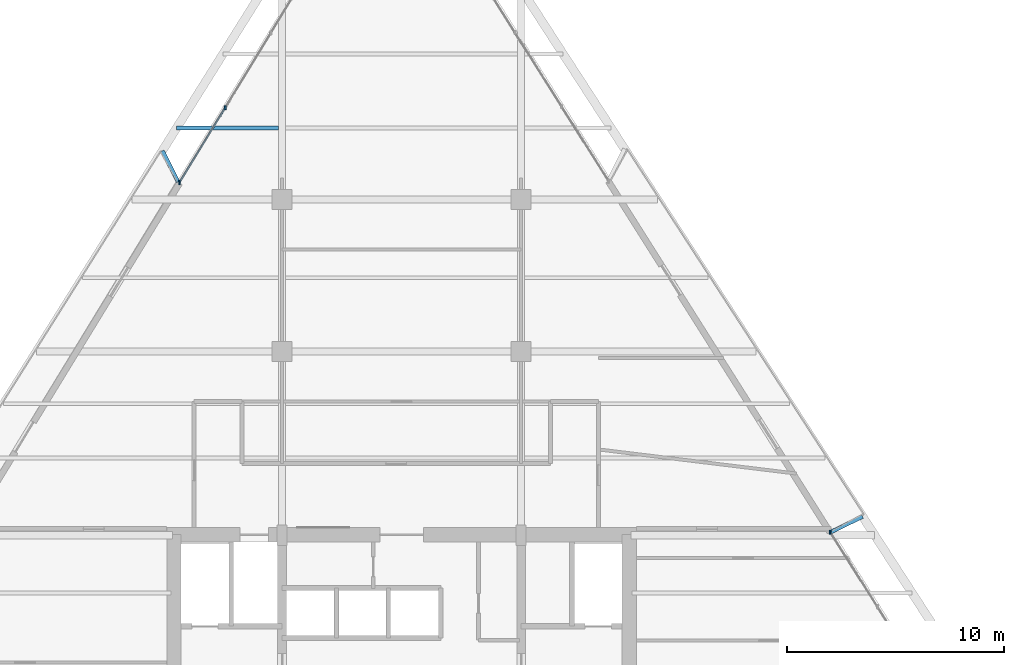
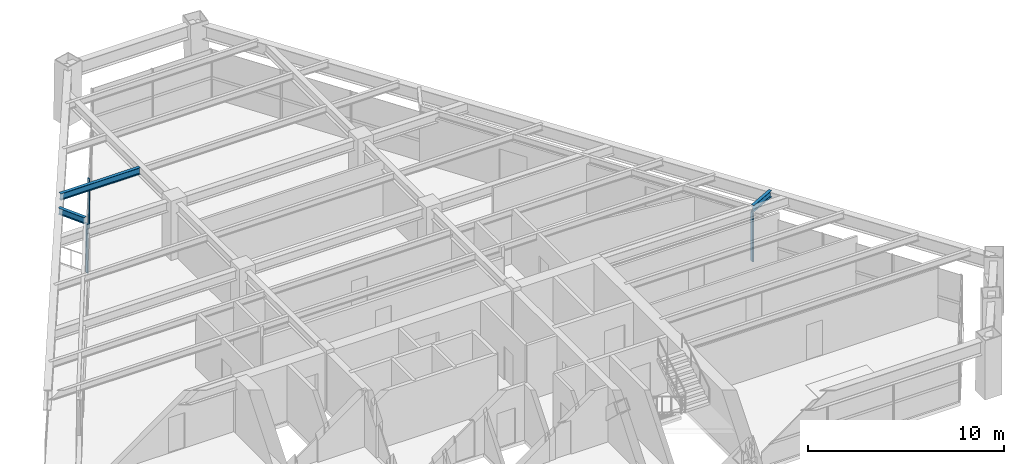
# One storey, part 6 of 13: 6 members, 3 beams, 2 elements without a shape of their own.
"""IFC4 building model written with IfcOpenShell, lengths in metres."""

from ifc_helpers import new_model, si_unit, direction, frame, origin, origin_2d, place, context, subcontext, project, spatial, rectangle, i_section, extrude, source, transform, mapped, material, material_profile, profile_set, type_object, type_shapes, element, aggregate, save


model = new_model("IFC4")

# Units and contexts
model_context = context("Model", 3, precision=1e-05, world=origin(), true_north=direction((0.0, 1.0)))
body_context = subcontext(model_context, "Body", "Model", "MODEL_VIEW")
ifc_project = project(units=[si_unit("LENGTHUNIT", "METRE"), si_unit("AREAUNIT", "SQUARE_METRE"), si_unit("VOLUMEUNIT", "CUBIC_METRE"), si_unit("PLANEANGLEUNIT", "RADIAN"), si_unit("MASSUNIT", "GRAM", prefix="KILO")], contexts=[model_context])

# Site, building, storey
site_placement = place(None, origin())
site = spatial("IfcSite", under=ifc_project, at=site_placement, CompositionType="ELEMENT")
building_placement = place(site_placement, origin())
building = spatial("IfcBuilding", under=site, at=building_placement, Name="Varnakhor Terracotta Tower", CompositionType="ELEMENT")
storey_placement = place(building_placement, frame((0.0, 0.0, 200.60009765625)))
storey = spatial("IfcBuildingStorey", under=building, at=storey_placement, Name="L51", CompositionType="ELEMENT", Elevation=200.60009765625)

# Beams
ifc_material_1 = material(Name="Steel S355", Category="steel")
ifc_material_profile_1 = material_profile(ifc_material_1, i_section(OverallWidth=0.179931640625, OverallDepth=0.4130859375, WebThickness=0.009765625, FlangeThickness=0.01611328125, FilletRadius=0.01806640625, at=origin_2d()), Name="W16X50")
ifc_profile_set_1 = profile_set([ifc_material_profile_1], Name="Steel S355")
beam_type_1 = type_object("IfcBeamType", Name="JST-W16X50", PredefinedType="JOIST", material=ifc_profile_set_1)
shared_shape_1 = source(origin(), body_context, "Body", "SweptSolid", [
    extrude(i_section(OverallWidth=0.179931640625, OverallDepth=0.4130859375, WebThickness=0.009765625, FlangeThickness=0.01611328125, FilletRadius=0.01806640625, at=origin_2d()), origin(), (0.0, 0.0, 1.0), 4.690185546875),
])
beam_1_placement = place(storey_placement, frame((-10.3486328125, 34.800048828125, 3.263427734375), z_axis=(1.0, 0.0, 0.0), x_axis=(0.0, 1.0, 0.0)))
element("IfcBeam", 1, at=beam_1_placement, inside=storey, type_object=beam_type_1, Name="L51 Composite Floor Joist 7-1", PredefinedType="JOIST", context=body_context, shape_type="MappedRepresentation", body=[
    mapped(shared_shape_1, transform((0.0, 0.0, 0.0), scale=1.0)),
])
ifc_material_profile_2 = material_profile(ifc_material_1, i_section(OverallWidth=0.179931640625, OverallDepth=0.39990234375, WebThickness=0.008544921875, FlangeThickness=0.013427734375, FilletRadius=0.01806640625, at=origin_2d()), Name="IPE400")
ifc_profile_set_2 = profile_set([ifc_material_profile_2], Name="Steel S355")
beam_type_2 = type_object("IfcBeamType", Name="JST-IPE400", PredefinedType="JOIST", material=ifc_profile_set_2)
shared_shape_2 = source(origin(), body_context, "Body", "SweptSolid", [
    extrude(i_section(OverallWidth=0.179931640625, OverallDepth=0.39990234375, WebThickness=0.008544921875, FlangeThickness=0.013427734375, FilletRadius=0.01806640625, at=origin_2d()), origin(), (0.0, 0.0, 1.0), 1.611572265625),
])
beam_2_placement = place(storey_placement, frame((-10.281494140625, 32.306396484375, 3.27001953125), z_axis=(-0.452659004926, 0.891683702475, 0.0), x_axis=(-0.891683702475, -0.452659004926, 0.0)))
element("IfcBeam", 2, at=beam_2_placement, inside=storey, type_object=beam_type_2, Name="L52 W Loggia Tie Beam 2", PredefinedType="JOIST", context=body_context, shape_type="MappedRepresentation", body=[
    mapped(shared_shape_2, transform((0.0, 0.0, 0.0), scale=1.0)),
])

# Curtain wall, members
ifc_material_2 = material(Name="Anodised Aluminium Curtain Wall System", Category="aluminium")
curtain_wall_type = type_object("IfcCurtainWallType", Name="CW-SYS-MID-OFFICE", PredefinedType="NOTDEFINED", material=ifc_material_2)
curtain_wall_1_placement = place(storey_placement, origin())
curtain_wall_1 = element("IfcCurtainWall", 3, at=curtain_wall_1_placement, inside=storey, type_object=curtain_wall_type, Name="L51 W Facet Curtain Wall 2", PredefinedType="NOTDEFINED")
ifc_material_3 = material(Name="Anodised Aluminium 6063-T6", Category="aluminium")
ifc_material_profile_3 = material_profile(ifc_material_3, rectangle(XDim=0.070068359375, YDim=0.175048828125, at=origin_2d()), Name="ALU MULLION 70x175")
ifc_profile_set_3 = profile_set([ifc_material_profile_3], Name="Anodised Aluminium 6063-T6")
member_type_1 = type_object("IfcMemberType", Name="CWM-03", PredefinedType="MULLION", material=ifc_profile_set_3)
shared_shape_3 = source(origin(), body_context, "Body", "SweptSolid", [
    extrude(rectangle(XDim=0.070068359375, YDim=0.175048828125, at=origin_2d()), origin(), (0.0, 0.0, 1.0), 3.0498046875),
])
type_shapes(member_type_1, [shared_shape_3])
member_1_placement = place(storey_placement, frame((-10.215087890625, 32.29296875, 0.0), z_axis=(0.0, 0.0, 1.0), x_axis=(1.0, 0.0, 0.0)))
member_1 = element("IfcMember", 4, at=member_1_placement, type_object=member_type_1, Name="L51 W Facet Curtain Wall 2 Mullion 1", PredefinedType="MULLION", context=body_context, shape_type="MappedRepresentation", body=[
    mapped(shared_shape_3, transform((0.0, 0.0, 0.0), scale=1.0)),
])
member_2_placement = place(storey_placement, frame((-8.115234375, 35.727783203125, 0.0), z_axis=(0.0, 0.0, 1.0), x_axis=(1.0, 0.0, 0.0)))
member_2 = element("IfcMember", 5, at=member_2_placement, type_object=member_type_1, Name="L51 W Facet Curtain Wall 2 Mullion 2", PredefinedType="MULLION", context=body_context, shape_type="MappedRepresentation", body=[
    mapped(shared_shape_3, transform((0.0, 0.0, 0.0), scale=1.0)),
])
member_3_placement = place(storey_placement, frame((-10.213623046875, 32.2568359375, 0.0), z_axis=(0.0, 0.0, 1.0), x_axis=(1.0, 0.0, 0.0)))
member_3 = element("IfcMember", 6, at=member_3_placement, type_object=member_type_1, Name="L51 W Loggia Jamb Closure Mullion 2", PredefinedType="MULLION", context=body_context, shape_type="MappedRepresentation", body=[
    mapped(shared_shape_3, transform((0.0, 0.0, 0.0), scale=1.0)),
])

curtain_wall_2_placement = place(storey_placement, origin())
curtain_wall_2 = element("IfcCurtainWall", 7, at=curtain_wall_2_placement, inside=storey, type_object=curtain_wall_type, Name="L51 E Facet Curtain Wall 2", PredefinedType="NOTDEFINED")
member_4_placement = place(storey_placement, frame((19.744384765625, 16.17529296875, 0.0), z_axis=(0.0, 0.0, 1.0), x_axis=(1.0, 0.0, 0.0)))
member_4 = element("IfcMember", 8, at=member_4_placement, type_object=member_type_1, Name="L51 E Facet Curtain Wall 2 Mullion 1", PredefinedType="MULLION", context=body_context, shape_type="MappedRepresentation", body=[
    mapped(shared_shape_3, transform((0.0, 0.0, 0.0), scale=1.0)),
])
member_5_placement = place(storey_placement, frame((19.71142578125, 16.190185546875, 0.0), z_axis=(0.0, 0.0, 1.0), x_axis=(1.0, 0.0, 0.0)))
member_5 = element("IfcMember", 9, at=member_5_placement, type_object=member_type_1, Name="L51 E Loggia Jamb Closure Mullion 2", PredefinedType="MULLION", context=body_context, shape_type="MappedRepresentation", body=[
    mapped(shared_shape_3, transform((0.0, 0.0, 0.0), scale=1.0)),
])
aggregate(curtain_wall_2, [member_4, member_5])

# Member
ifc_material_profile_4 = material_profile(ifc_material_3, rectangle(XDim=0.070068359375, YDim=0.155029296875, at=origin_2d()), Name="ALU TRANSOM 70x155")
ifc_profile_set_4 = profile_set([ifc_material_profile_4], Name="Anodised Aluminium 6063-T6")
member_type_2 = type_object("IfcMemberType", Name="CWT-03", PredefinedType="USERDEFINED", material=ifc_profile_set_4)
shared_shape_4 = source(origin(), body_context, "Body", "SweptSolid", [
    extrude(rectangle(XDim=0.070068359375, YDim=0.155029296875, at=origin_2d()), origin(), (0.0, 0.0, 1.0), 4.02587890625),
])
member_6_placement = place(storey_placement, frame((-10.215087890625, 32.29296875, 1.281005859375), z_axis=(0.521594728684, 0.853193377265, 0.0), x_axis=(-0.853193377265, 0.521594728684, 0.0)))
member_6 = element("IfcMember", 10, at=member_6_placement, type_object=member_type_2, Name="L51 W Facet Curtain Wall 2 Transom 1", ObjectType="TRANSOM", PredefinedType="USERDEFINED", context=body_context, shape_type="MappedRepresentation", body=[
    mapped(shared_shape_4, transform((0.0, 0.0, 0.0), scale=1.0)),
])

aggregate(curtain_wall_1, [member_1, member_6, member_2, member_3])

# Beam
shared_shape_5 = source(origin(), body_context, "Body", "SweptSolid", [
    extrude(i_section(OverallWidth=0.179931640625, OverallDepth=0.39990234375, WebThickness=0.008544921875, FlangeThickness=0.013427734375, FilletRadius=0.01806640625, at=origin_2d()), origin(), (0.0, 0.0, 1.0), 1.630615234375),
])
beam_3_placement = place(storey_placement, frame((19.749267578125, 16.193603515625, 3.27001953125), z_axis=(0.897165199192, 0.441695149802, 0.0), x_axis=(-0.441695149802, 0.897165199192, 0.0)))
element("IfcBeam", 11, at=beam_3_placement, inside=storey, type_object=beam_type_2, Name="L52 E Loggia Tie Beam 2", PredefinedType="JOIST", context=body_context, shape_type="MappedRepresentation", body=[
    mapped(shared_shape_5, transform((0.0, 0.0, 0.0), scale=1.0)),
])

save(model, "model.ifc")
